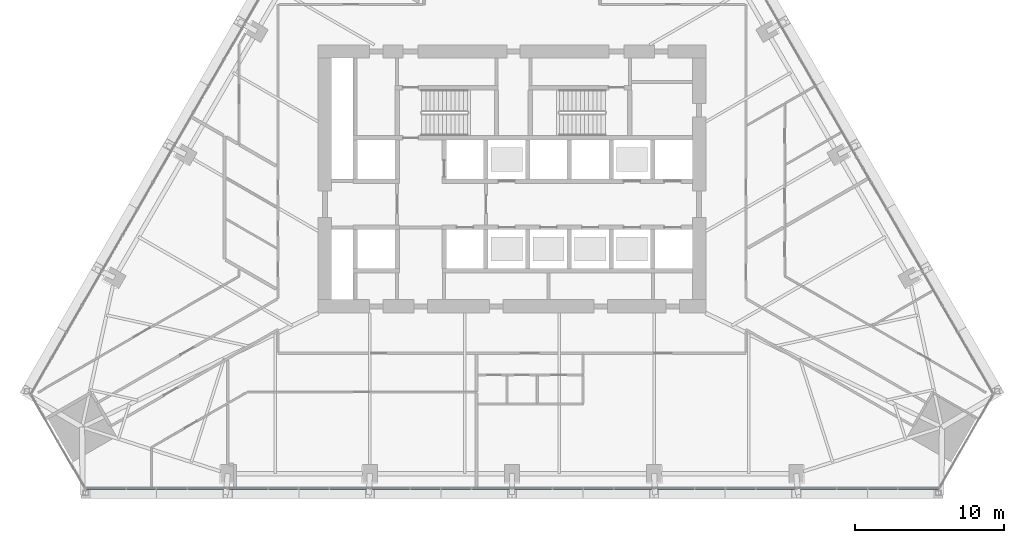
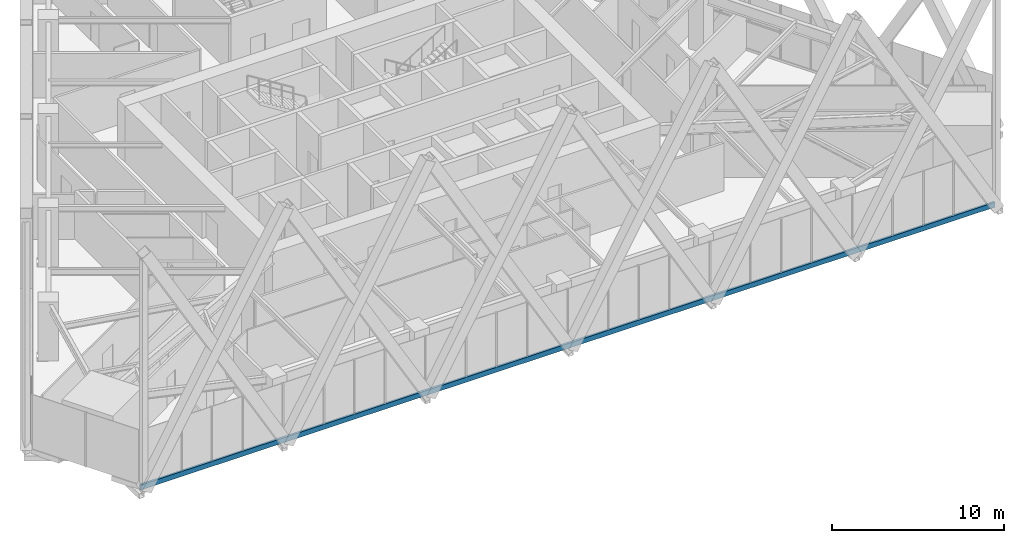
# One storey, part 6 of 23: 1 member, 1 element without a shape of its own.
"""IFC4 building model written with IfcOpenShell, lengths in metres."""

from ifc_helpers import new_model, si_unit, direction, frame, origin, origin_2d, place, context, subcontext, project, spatial, rectangle, extrude, material, layer, layer_set, material_profile, profile_set, type_object, element, aggregate, save


model = new_model("IFC4")

# Units and contexts
model_context = context("Model", 3, precision=1e-05, world=origin(), true_north=direction((0.0, 1.0)))
body_context = subcontext(model_context, "Body", "Model", "MODEL_VIEW")
ifc_project = project(units=[si_unit("LENGTHUNIT", "METRE"), si_unit("AREAUNIT", "SQUARE_METRE"), si_unit("VOLUMEUNIT", "CUBIC_METRE"), si_unit("PLANEANGLEUNIT", "RADIAN"), si_unit("MASSUNIT", "GRAM", prefix="KILO")], contexts=[model_context])

# Site, building, storey
site_placement = place(None, origin())
site = spatial("IfcSite", under=ifc_project, at=site_placement, CompositionType="ELEMENT")
building_placement = place(site_placement, origin())
building = spatial("IfcBuilding", under=site, at=building_placement, Name="Firuza Gate Tower and Library", CompositionType="ELEMENT")
storey_placement = place(building_placement, frame((0.0, 0.0, 56.800048828125)))
storey = spatial("IfcBuildingStorey", under=building, at=storey_placement, Name="L12", CompositionType="ELEMENT", Elevation=56.800048828125)

# Curtain wall, member
ifc_material_1 = material(Name="Aluminium 6063-T6", Category="aluminium")
ifc_layer = layer(ifc_material_1, 0.14990234375)
ifc_layer_set = layer_set([ifc_layer], Name="Unitised curtain wall, offices")
curtain_wall_type = type_object("IfcCurtainWallType", Name="Unitised curtain wall, offices", PredefinedType="NOTDEFINED", material=ifc_layer_set)
curtain_wall_placement = place(storey_placement, origin())
curtain_wall = element("IfcCurtainWall", 1, at=curtain_wall_placement, inside=storey, type_object=curtain_wall_type, Name="CW1 L12 S face", PredefinedType="NOTDEFINED")
ifc_material_2 = material(Name="Aluminium 6063-T6", Category="aluminium")
ifc_material_profile = material_profile(ifc_material_2, rectangle(XDim=0.14990234375, YDim=0.35009765625, at=origin_2d()))
ifc_profile_set = profile_set([ifc_material_profile], Name="Aluminium 6063-T6")
member_type = type_object("IfcMemberType", Name="Curtain wall transom 350x150", PredefinedType="USERDEFINED", material=ifc_profile_set)
member_placement = place(storey_placement, frame((46.353271484375, 54.25390625, -0.025146484375), z_axis=(1.0, 0.0, 0.0), x_axis=(0.0, 1.0, 0.0)))
member = element("IfcMember", 2, at=member_placement, type_object=member_type, Name="Transom", ObjectType="TRANSOM", PredefinedType="USERDEFINED", context=body_context, shape_type="SweptSolid", body=[
    extrude(rectangle(XDim=0.14990234375, YDim=0.35009765625, at=origin_2d()), origin(), (0.0, 0.0, 1.0), 57.29345703125),
])
aggregate(curtain_wall, [member])

save(model, "model.ifc")
